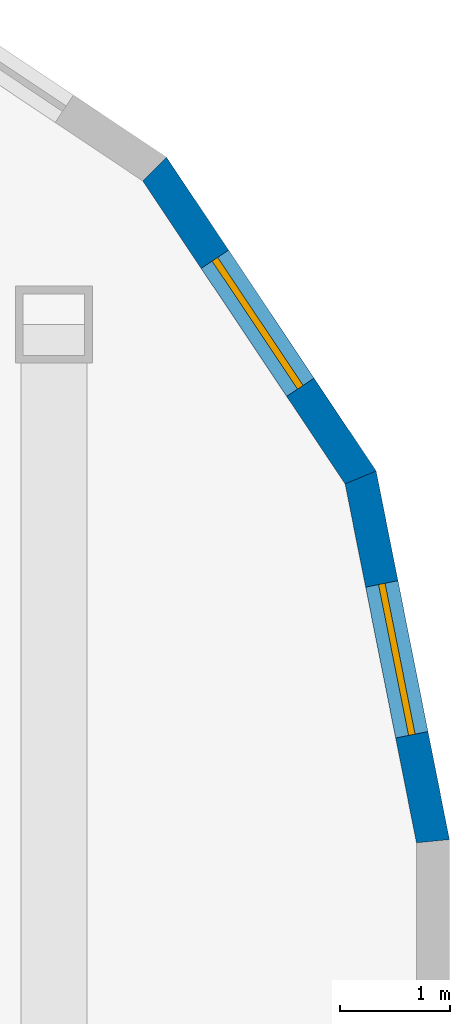
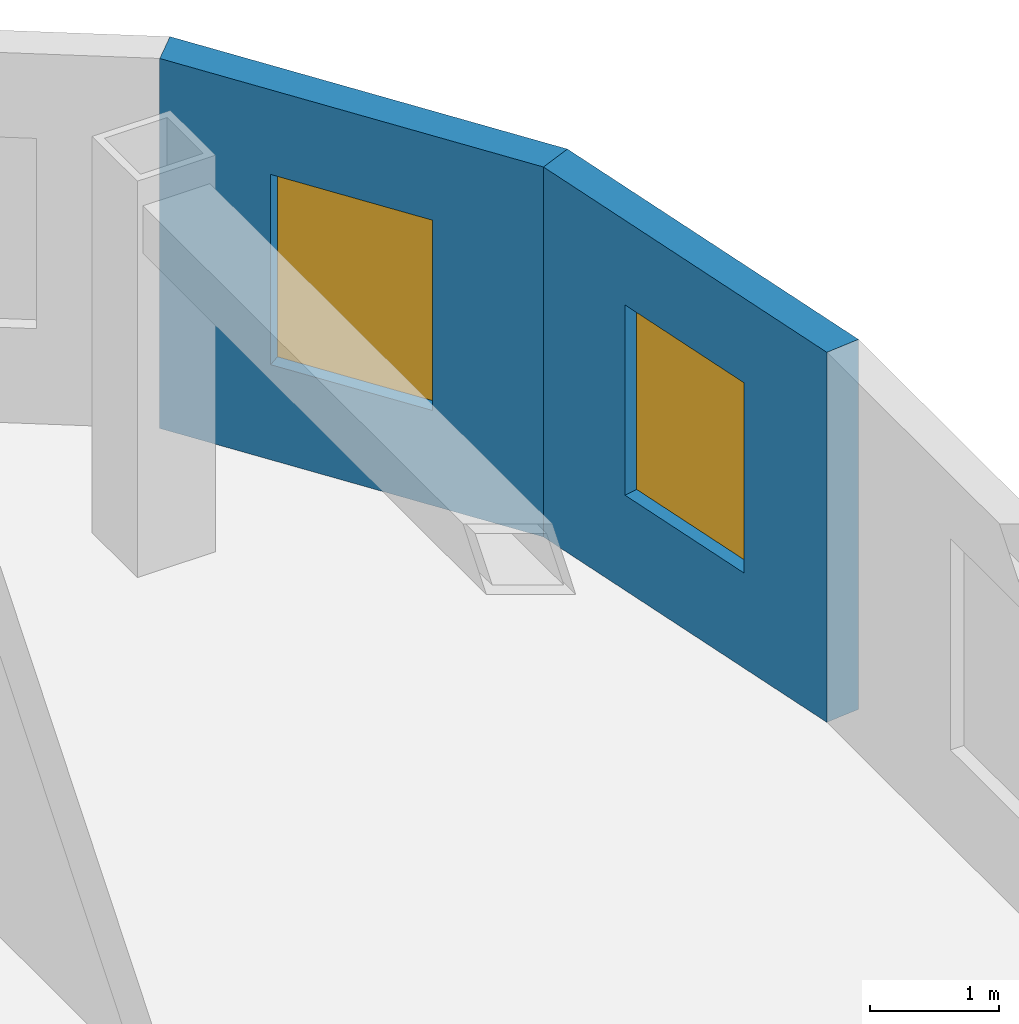
# One storey, part 21 of 28: 2 walls, 2 windows, 2 openings.
"""IFC4 building model written with IfcOpenShell, lengths in metres."""

from ifc_helpers import new_model, si_unit, direction, frame, frame_2d, origin, place, context, subcontext, project, spatial, polyline, rectangle, outline, extrude, material, layer, layer_set, type_object, element, fill, save


model = new_model("IFC4")

# Units and contexts
model_context = context("Model", 3, precision=1e-05, world=origin(), true_north=direction((0.0, 1.0)))
body_context = subcontext(model_context, "Body", "Model", "MODEL_VIEW")
ifc_project = project(units=[si_unit("LENGTHUNIT", "METRE"), si_unit("AREAUNIT", "SQUARE_METRE"), si_unit("VOLUMEUNIT", "CUBIC_METRE"), si_unit("PLANEANGLEUNIT", "RADIAN"), si_unit("MASSUNIT", "GRAM", prefix="KILO")], contexts=[model_context])

# Site, building, storey
site_placement = place(None, origin())
site = spatial("IfcSite", under=ifc_project, at=site_placement, CompositionType="ELEMENT")
building_placement = place(site_placement, origin())
building = spatial("IfcBuilding", under=site, at=building_placement, Name="Orbita Commons", CompositionType="ELEMENT")
storey_placement = place(building_placement, frame((0.0, 0.0, 193.60009765625)))
storey = spatial("IfcBuildingStorey", under=building, at=storey_placement, Name="L48", CompositionType="ELEMENT", Elevation=193.60009765625)

# Wall, opening, window
ifc_material_1 = material(Name="Precast concrete C40/50, white board-marked finish", Category="concrete")
ifc_layer = layer(ifc_material_1, 0.300048828125)
ifc_layer_set = layer_set([ifc_layer], Name="Precast concrete C40/50, white board-marked finish")
wall_type = type_object("IfcWallType", Name="Precast concrete end shield 300", PredefinedType="SOLIDWALL", material=ifc_layer_set)
wall_1_placement = place(storey_placement, frame((75.449951171875, 45.39990234375, 0.0), z_axis=(0.0, 0.0, 1.0), x_axis=(-0.19508664885, 0.980786011034, 0.0)))
wall_1 = element("IfcWall", 1, at=wall_1_placement, inside=storey, type_object=wall_type, Name="End shield NE chord 1 L48", PredefinedType="SOLIDWALL", context=body_context, shape_type="SweptSolid", body=[
    extrude(outline(polyline([(-0.014892578125, -0.14990234375), (3.405029296875, -0.14990234375), (3.345458984375, 0.14990234375), (0.014892578125, 0.14990234375), (-0.014892578125, -0.14990234375)])), origin(), (0.0, 0.0, 1.0), 3.5),
])
opening_1_placement = place(wall_1_placement, frame((0.987548828125, 0.0, 0.89990234375)))
opening_1 = element("IfcOpeningElement", 2, at=opening_1_placement, cuts=wall_1, Name="Opening W02", PredefinedType="OPENING", context=body_context, shape_type="SweptSolid", body=[
    extrude(rectangle(XDim=1.39990234375, YDim=1.800048828125, at=frame_2d((0.699951171875, 0.89990234375))), frame((0.0, 0.159912109375, 0.0), z_axis=(0.0, -1.0, 0.0), x_axis=(1.0, 0.0, 0.0)), (0.0, 0.0, 1.0), 0.320068359375),
])
ifc_material_2 = material(Name="Aluminium frame, clear double glazing", Category="aluminium")
window_type = type_object("IfcWindowType", Name="Deep-set window 1400x1800", PartitioningType="SINGLE_PANEL", PredefinedType="WINDOW", material=ifc_material_2)
window_1_placement = place(opening_1_placement, origin())
window_1 = element("IfcWindow", 3, at=window_1_placement, inside=storey, type_object=window_type, Name="Window L48-NE0", OverallHeight=1.800048828125, OverallWidth=1.39990234375, PartitioningType="SINGLE_PANEL", PredefinedType="WINDOW", context=body_context, shape_type="SweptSolid", body=[
    extrude(rectangle(XDim=1.39990234375, YDim=1.800048828125, at=frame_2d((0.699951171875, 0.89990234375))), frame((0.0, 0.030029296875, 0.0), z_axis=(0.0, -1.0, 0.0), x_axis=(1.0, 0.0, 0.0)), (0.0, 0.0, 1.0), 0.06005859375),
])
fill(opening_1, window_1)

wall_2_placement = place(storey_placement, frame((74.79150390625, 48.710205078125, 0.0), z_axis=(0.0, 0.0, 1.0), x_axis=(-0.555534554399, 0.831493450887, 0.0)))
wall_2 = element("IfcWall", 4, at=wall_2_placement, inside=storey, type_object=wall_type, Name="End shield NE chord 2 L48", PredefinedType="SOLIDWALL", context=body_context, shape_type="SweptSolid", body=[
    extrude(outline(polyline([(-0.02978515625, -0.14990234375), (3.405029296875, -0.14990234375), (3.345458984375, 0.14990234375), (0.02978515625, 0.14990234375), (-0.02978515625, -0.14990234375)])), origin(), (0.0, 0.0, 1.0), 3.5),
])
opening_2_placement = place(wall_2_placement, frame((0.987548828125, 0.0, 0.89990234375)))
opening_2 = element("IfcOpeningElement", 5, at=opening_2_placement, cuts=wall_2, Name="Opening W02", PredefinedType="OPENING", context=body_context, shape_type="SweptSolid", body=[
    extrude(rectangle(XDim=1.39990234375, YDim=1.800048828125, at=frame_2d((0.699951171875, 0.89990234375))), frame((0.0, 0.159912109375, 0.0), z_axis=(0.0, -1.0, 0.0), x_axis=(1.0, 0.0, 0.0)), (0.0, 0.0, 1.0), 0.320068359375),
])
window_2_placement = place(opening_2_placement, origin())
window_2 = element("IfcWindow", 6, at=window_2_placement, inside=storey, type_object=window_type, Name="Window L48-NE1", OverallHeight=1.800048828125, OverallWidth=1.39990234375, PartitioningType="SINGLE_PANEL", PredefinedType="WINDOW", context=body_context, shape_type="SweptSolid", body=[
    extrude(rectangle(XDim=1.39990234375, YDim=1.800048828125, at=frame_2d((0.699951171875, 0.89990234375))), frame((0.0, 0.030029296875, 0.0), z_axis=(0.0, -1.0, 0.0), x_axis=(1.0, 0.0, 0.0)), (0.0, 0.0, 1.0), 0.06005859375),
])
fill(opening_2, window_2)

save(model, "model.ifc")
